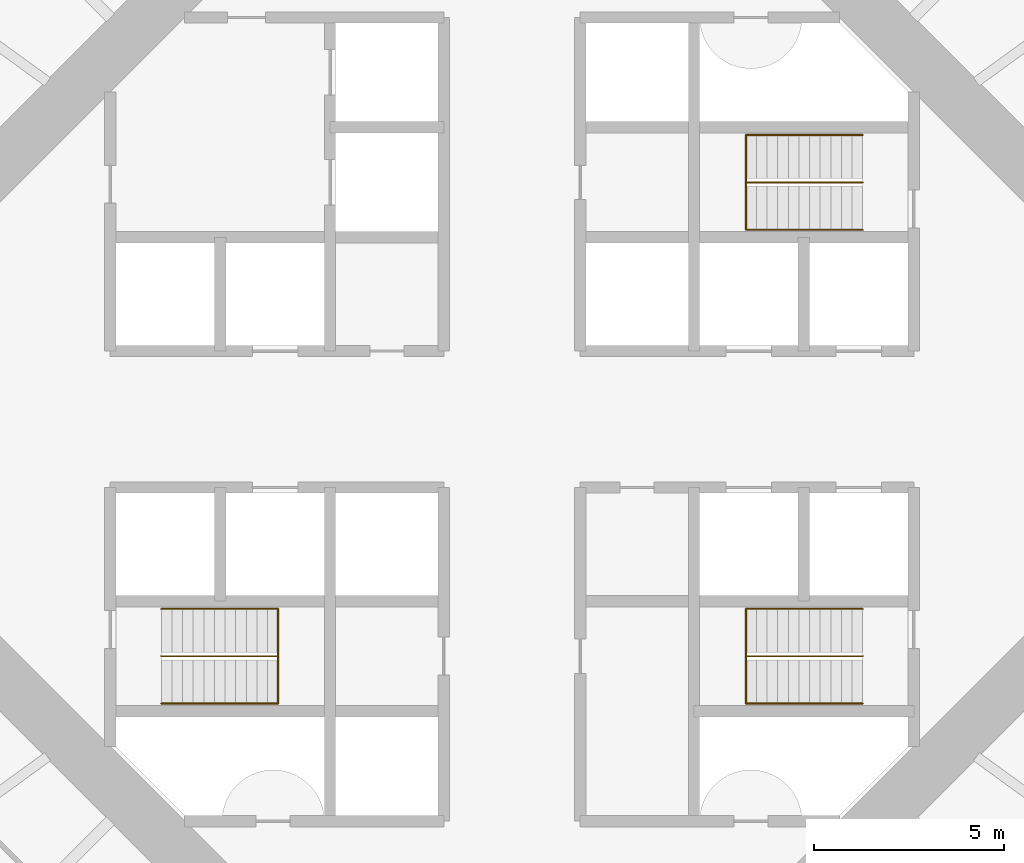
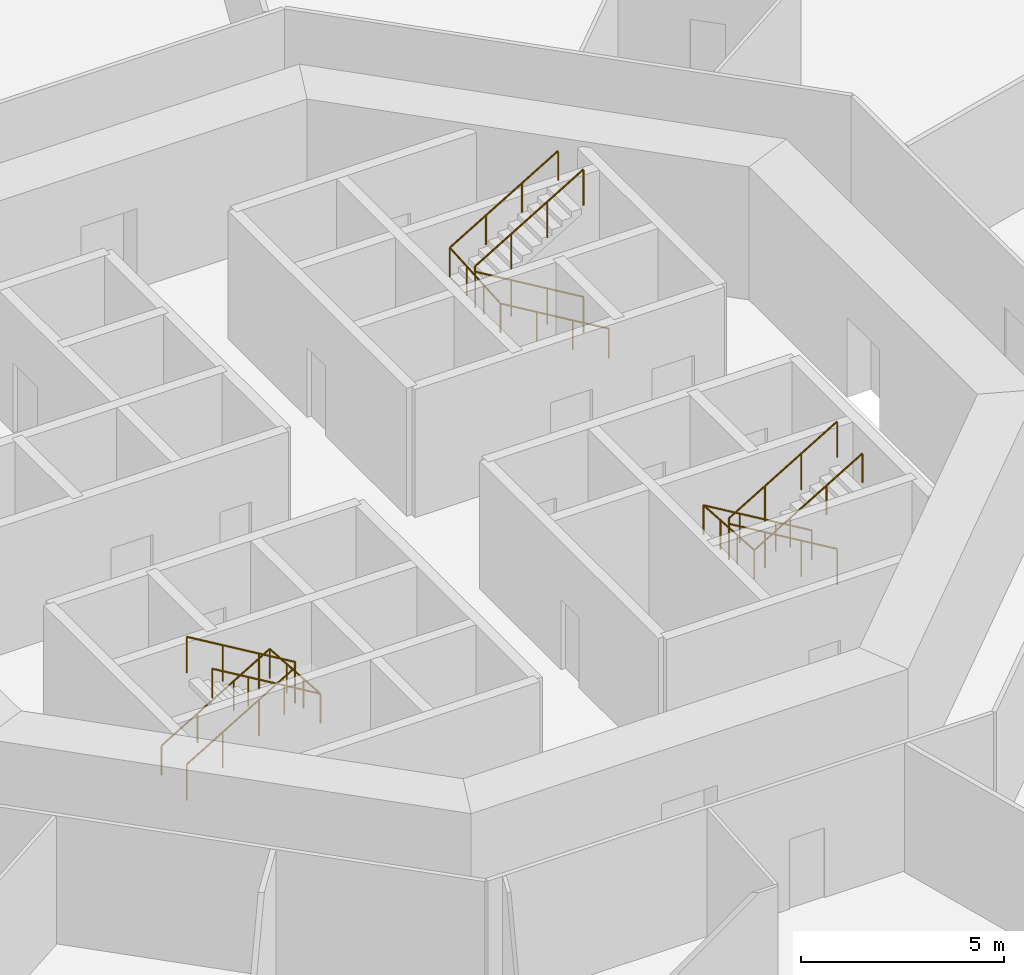
# One storey, part 13 of 13: 6 railings.
"""IFC4 building model written with IfcOpenShell, lengths in metres."""

from ifc_helpers import new_model, si_unit, direction, frame, origin, origin_2d, place, context, subcontext, project, spatial, circle, extrude, material, type_object, element, save


model = new_model("IFC4")

# Units and contexts
model_context = context("Model", 3, precision=1e-05, world=origin(), true_north=direction((0.0, 1.0)))
body_context = subcontext(model_context, "Body", "Model", "MODEL_VIEW")
ifc_project = project(units=[si_unit("LENGTHUNIT", "METRE"), si_unit("AREAUNIT", "SQUARE_METRE"), si_unit("VOLUMEUNIT", "CUBIC_METRE"), si_unit("PLANEANGLEUNIT", "RADIAN"), si_unit("MASSUNIT", "GRAM", prefix="KILO")], contexts=[model_context])

# Site, building, storey
site_placement = place(None, origin())
site = spatial("IfcSite", under=ifc_project, at=site_placement, CompositionType="ELEMENT")
building_placement = place(site_placement, origin())
building = spatial("IfcBuilding", under=site, at=building_placement, Name="Entoto Ring Tower", CompositionType="ELEMENT")
storey_placement = place(building_placement, frame((0.0, 0.0, 18.0)))
storey = spatial("IfcBuildingStorey", under=building, at=storey_placement, Name="L02", CompositionType="ELEMENT", Elevation=18.0)

# Railings
ifc_material_1 = material(Name="Steel S275", Category="steel")
railing_type_1 = type_object("IfcRailingType", Name="Stair guard 1100 mm steel", PredefinedType="GUARDRAIL", material=ifc_material_1)
railing_1_placement = place(storey_placement, frame((99.25, 86.25, 0.166748046875)))
element("IfcRailing", 1, at=railing_1_placement, inside=storey, type_object=railing_type_1, Name="Guard ST1", PredefinedType="GUARDRAIL", context=body_context, shape_type="SweptSolid", body=[
    extrude(circle(Radius=0.02392578125, at=origin_2d()), frame((0.0, 0.0, 1.076171875), z_axis=(-0.859308565015, 0.0, 0.511457515432), x_axis=(0.0, -1.0, 0.0)), (0.0, 0.0, 1.0), 3.58447265625),
    extrude(circle(Radius=0.02392578125, at=origin_2d()), frame((-3.080078125, 0.0, 2.9091796875), z_axis=(0.0, 0.0, 1.0), x_axis=(1.0, 0.0, 0.0)), (0.0, 0.0, 1.0), 0.166748046875),
    extrude(circle(Radius=0.02392578125, at=origin_2d()), frame((-3.080078125, 0.0, 3.076171875), z_axis=(0.859308565015, 0.0, 0.511457515432), x_axis=(0.0, 1.0, 0.0)), (0.0, 0.0, 1.0), 3.58447265625),
    extrude(circle(Radius=0.02099609375, at=origin_2d()), origin(), (0.0, 0.0, 1.0), 1.052001953125),
    extrude(circle(Radius=0.02099609375, at=origin_2d()), frame((-1.026611328125, 0.0, 0.611083984375)), (0.0, 0.0, 1.0), 1.052001953125),
    extrude(circle(Radius=0.02099609375, at=origin_2d()), frame((-2.053466796875, 0.0, 1.22216796875)), (0.0, 0.0, 1.0), 1.052001953125),
    extrude(circle(Radius=0.02099609375, at=origin_2d()), frame((-3.080078125, 0.0, 1.833251953125)), (0.0, 0.0, 1.0), 1.052001953125),
    extrude(circle(Radius=0.02099609375, at=origin_2d()), frame((-3.080078125, 0.0, 2.0)), (0.0, 0.0, 1.0), 1.052001953125),
    extrude(circle(Radius=0.02099609375, at=origin_2d()), frame((-2.053466796875, 0.0, 2.611083984375)), (0.0, 0.0, 1.0), 1.052001953125),
    extrude(circle(Radius=0.02099609375, at=origin_2d()), frame((-1.026611328125, 0.0, 3.22216796875)), (0.0, 0.0, 1.0), 1.052001953125),
    extrude(circle(Radius=0.02099609375, at=origin_2d()), frame((0.0, 0.0, 3.833251953125)), (0.0, 0.0, 1.0), 1.052001953125),
])
railing_2_placement = place(storey_placement, frame((80.75, 73.75, 0.166748046875)))
element("IfcRailing", 2, at=railing_2_placement, inside=storey, type_object=railing_type_1, Name="Guard ST2", PredefinedType="GUARDRAIL", context=body_context, shape_type="SweptSolid", body=[
    extrude(circle(Radius=0.02392578125, at=origin_2d()), frame((0.0, 0.0, 1.076171875), z_axis=(0.859308565015, 0.0, 0.511457515432), x_axis=(0.0, 1.0, 0.0)), (0.0, 0.0, 1.0), 3.58447265625),
    extrude(circle(Radius=0.02392578125, at=origin_2d()), frame((3.080078125, 0.0, 2.9091796875), z_axis=(0.0, 0.0, 1.0), x_axis=(1.0, 0.0, 0.0)), (0.0, 0.0, 1.0), 0.166748046875),
    extrude(circle(Radius=0.02392578125, at=origin_2d()), frame((3.080078125, 0.0, 3.076171875), z_axis=(-0.859308565015, 0.0, 0.511457515432), x_axis=(0.0, -1.0, 0.0)), (0.0, 0.0, 1.0), 3.58447265625),
    extrude(circle(Radius=0.02099609375, at=origin_2d()), origin(), (0.0, 0.0, 1.0), 1.052001953125),
    extrude(circle(Radius=0.02099609375, at=origin_2d()), frame((1.026611328125, 0.0, 0.611083984375)), (0.0, 0.0, 1.0), 1.052001953125),
    extrude(circle(Radius=0.02099609375, at=origin_2d()), frame((2.053466796875, 0.0, 1.22216796875)), (0.0, 0.0, 1.0), 1.052001953125),
    extrude(circle(Radius=0.02099609375, at=origin_2d()), frame((3.080078125, 0.0, 1.833251953125)), (0.0, 0.0, 1.0), 1.052001953125),
    extrude(circle(Radius=0.02099609375, at=origin_2d()), frame((3.080078125, 0.0, 2.0)), (0.0, 0.0, 1.0), 1.052001953125),
    extrude(circle(Radius=0.02099609375, at=origin_2d()), frame((2.053466796875, 0.0, 2.611083984375)), (0.0, 0.0, 1.0), 1.052001953125),
    extrude(circle(Radius=0.02099609375, at=origin_2d()), frame((1.026611328125, 0.0, 3.22216796875)), (0.0, 0.0, 1.0), 1.052001953125),
    extrude(circle(Radius=0.02099609375, at=origin_2d()), frame((0.0, 0.0, 3.833251953125)), (0.0, 0.0, 1.0), 1.052001953125),
])
railing_3_placement = place(storey_placement, frame((99.25, 73.75, 0.166748046875)))
element("IfcRailing", 3, at=railing_3_placement, inside=storey, type_object=railing_type_1, Name="Guard ST3", PredefinedType="GUARDRAIL", context=body_context, shape_type="SweptSolid", body=[
    extrude(circle(Radius=0.02392578125, at=origin_2d()), frame((0.0, 0.0, 1.076171875), z_axis=(-0.859308565015, 0.0, 0.511457515432), x_axis=(0.0, -1.0, 0.0)), (0.0, 0.0, 1.0), 3.58447265625),
    extrude(circle(Radius=0.02392578125, at=origin_2d()), frame((-3.080078125, 0.0, 2.9091796875), z_axis=(0.0, 0.0, 1.0), x_axis=(1.0, 0.0, 0.0)), (0.0, 0.0, 1.0), 0.166748046875),
    extrude(circle(Radius=0.02392578125, at=origin_2d()), frame((-3.080078125, 0.0, 3.076171875), z_axis=(0.859308565015, 0.0, 0.511457515432), x_axis=(0.0, 1.0, 0.0)), (0.0, 0.0, 1.0), 3.58447265625),
    extrude(circle(Radius=0.02099609375, at=origin_2d()), origin(), (0.0, 0.0, 1.0), 1.052001953125),
    extrude(circle(Radius=0.02099609375, at=origin_2d()), frame((-1.026611328125, 0.0, 0.611083984375)), (0.0, 0.0, 1.0), 1.052001953125),
    extrude(circle(Radius=0.02099609375, at=origin_2d()), frame((-2.053466796875, 0.0, 1.22216796875)), (0.0, 0.0, 1.0), 1.052001953125),
    extrude(circle(Radius=0.02099609375, at=origin_2d()), frame((-3.080078125, 0.0, 1.833251953125)), (0.0, 0.0, 1.0), 1.052001953125),
    extrude(circle(Radius=0.02099609375, at=origin_2d()), frame((-3.080078125, 0.0, 2.0)), (0.0, 0.0, 1.0), 1.052001953125),
    extrude(circle(Radius=0.02099609375, at=origin_2d()), frame((-2.053466796875, 0.0, 2.611083984375)), (0.0, 0.0, 1.0), 1.052001953125),
    extrude(circle(Radius=0.02099609375, at=origin_2d()), frame((-1.026611328125, 0.0, 3.22216796875)), (0.0, 0.0, 1.0), 1.052001953125),
    extrude(circle(Radius=0.02099609375, at=origin_2d()), frame((0.0, 0.0, 3.833251953125)), (0.0, 0.0, 1.0), 1.052001953125),
])
ifc_material_2 = material(Name="Steel S275", Category="steel")
railing_type_2 = type_object("IfcRailingType", Name="Stair handrail 900 mm steel", PredefinedType="HANDRAIL", material=ifc_material_2)
railing_4_placement = place(storey_placement, frame((99.25, 85.0, 0.166748046875)))
element("IfcRailing", 4, at=railing_4_placement, inside=storey, type_object=railing_type_2, Name="Handrail ST1", PredefinedType="HANDRAIL", context=body_context, shape_type="SweptSolid", body=[
    extrude(circle(Radius=0.02392578125, at=origin_2d()), frame((0.0, 0.0, 0.8759765625), z_axis=(-0.859308565015, 0.0, 0.511457515432), x_axis=(0.0, -1.0, 0.0)), (0.0, 0.0, 1.0), 3.58447265625),
    extrude(circle(Radius=0.02392578125, at=origin_2d()), frame((-3.080078125, 0.0, 2.708984375), z_axis=(0.0, 0.997783001586, 0.066551346688), x_axis=(-1.0, 0.0, 0.0)), (0.0, 0.0, 1.0), 2.505615234375),
    extrude(circle(Radius=0.02392578125, at=origin_2d()), frame((-3.080078125, 2.5, 2.8759765625), z_axis=(0.859308565015, 0.0, 0.511457515432), x_axis=(0.0, 1.0, 0.0)), (0.0, 0.0, 1.0), 3.58447265625),
    extrude(circle(Radius=0.02099609375, at=origin_2d()), origin(), (0.0, 0.0, 1.0), 0.851806640625),
    extrude(circle(Radius=0.02099609375, at=origin_2d()), frame((-1.026611328125, 0.0, 0.611083984375)), (0.0, 0.0, 1.0), 0.851806640625),
    extrude(circle(Radius=0.02099609375, at=origin_2d()), frame((-2.053466796875, 0.0, 1.22216796875)), (0.0, 0.0, 1.0), 0.851806640625),
    extrude(circle(Radius=0.02099609375, at=origin_2d()), frame((-3.080078125, 0.0, 1.833251953125)), (0.0, 0.0, 1.0), 0.851806640625),
    extrude(circle(Radius=0.02099609375, at=origin_2d()), frame((-3.080078125, 0.833251953125, 1.888916015625)), (0.0, 0.0, 1.0), 0.851806640625),
    extrude(circle(Radius=0.02099609375, at=origin_2d()), frame((-3.080078125, 1.666748046875, 1.9443359375)), (0.0, 0.0, 1.0), 0.851806640625),
    extrude(circle(Radius=0.02099609375, at=origin_2d()), frame((-3.080078125, 2.5, 2.0)), (0.0, 0.0, 1.0), 0.851806640625),
    extrude(circle(Radius=0.02099609375, at=origin_2d()), frame((-2.053466796875, 2.5, 2.611083984375)), (0.0, 0.0, 1.0), 0.851806640625),
    extrude(circle(Radius=0.02099609375, at=origin_2d()), frame((-1.026611328125, 2.5, 3.22216796875)), (0.0, 0.0, 1.0), 0.851806640625),
    extrude(circle(Radius=0.02099609375, at=origin_2d()), frame((0.0, 2.5, 3.833251953125)), (0.0, 0.0, 1.0), 0.851806640625),
])
railing_5_placement = place(storey_placement, frame((80.75, 75.0, 0.166748046875)))
element("IfcRailing", 5, at=railing_5_placement, inside=storey, type_object=railing_type_2, Name="Handrail ST2", PredefinedType="HANDRAIL", context=body_context, shape_type="SweptSolid", body=[
    extrude(circle(Radius=0.02392578125, at=origin_2d()), frame((0.0, 0.0, 0.8759765625), z_axis=(0.859308565015, 0.0, 0.511457515432), x_axis=(0.0, 1.0, 0.0)), (0.0, 0.0, 1.0), 3.58447265625),
    extrude(circle(Radius=0.02392578125, at=origin_2d()), frame((3.080078125, 0.0, 2.708984375), z_axis=(0.0, -0.997783001586, 0.066551346688), x_axis=(1.0, 0.0, 0.0)), (0.0, 0.0, 1.0), 2.505615234375),
    extrude(circle(Radius=0.02392578125, at=origin_2d()), frame((3.080078125, -2.5, 2.8759765625), z_axis=(-0.859308565015, 0.0, 0.511457515432), x_axis=(0.0, -1.0, 0.0)), (0.0, 0.0, 1.0), 3.58447265625),
    extrude(circle(Radius=0.02099609375, at=origin_2d()), origin(), (0.0, 0.0, 1.0), 0.851806640625),
    extrude(circle(Radius=0.02099609375, at=origin_2d()), frame((1.026611328125, 0.0, 0.611083984375)), (0.0, 0.0, 1.0), 0.851806640625),
    extrude(circle(Radius=0.02099609375, at=origin_2d()), frame((2.053466796875, 0.0, 1.22216796875)), (0.0, 0.0, 1.0), 0.851806640625),
    extrude(circle(Radius=0.02099609375, at=origin_2d()), frame((3.080078125, 0.0, 1.833251953125)), (0.0, 0.0, 1.0), 0.851806640625),
    extrude(circle(Radius=0.02099609375, at=origin_2d()), frame((3.080078125, -0.833251953125, 1.888916015625)), (0.0, 0.0, 1.0), 0.851806640625),
    extrude(circle(Radius=0.02099609375, at=origin_2d()), frame((3.080078125, -1.666748046875, 1.9443359375)), (0.0, 0.0, 1.0), 0.851806640625),
    extrude(circle(Radius=0.02099609375, at=origin_2d()), frame((3.080078125, -2.5, 2.0)), (0.0, 0.0, 1.0), 0.851806640625),
    extrude(circle(Radius=0.02099609375, at=origin_2d()), frame((2.053466796875, -2.5, 2.611083984375)), (0.0, 0.0, 1.0), 0.851806640625),
    extrude(circle(Radius=0.02099609375, at=origin_2d()), frame((1.026611328125, -2.5, 3.22216796875)), (0.0, 0.0, 1.0), 0.851806640625),
    extrude(circle(Radius=0.02099609375, at=origin_2d()), frame((0.0, -2.5, 3.833251953125)), (0.0, 0.0, 1.0), 0.851806640625),
])
railing_6_placement = place(storey_placement, frame((99.25, 75.0, 0.166748046875)))
element("IfcRailing", 6, at=railing_6_placement, inside=storey, type_object=railing_type_2, Name="Handrail ST3", PredefinedType="HANDRAIL", context=body_context, shape_type="SweptSolid", body=[
    extrude(circle(Radius=0.02392578125, at=origin_2d()), frame((0.0, 0.0, 0.8759765625), z_axis=(-0.859308565015, 0.0, 0.511457515432), x_axis=(0.0, -1.0, 0.0)), (0.0, 0.0, 1.0), 3.58447265625),
    extrude(circle(Radius=0.02392578125, at=origin_2d()), frame((-3.080078125, 0.0, 2.708984375), z_axis=(0.0, -0.997783001586, 0.066551346688), x_axis=(1.0, 0.0, 0.0)), (0.0, 0.0, 1.0), 2.505615234375),
    extrude(circle(Radius=0.02392578125, at=origin_2d()), frame((-3.080078125, -2.5, 2.8759765625), z_axis=(0.859308565015, 0.0, 0.511457515432), x_axis=(0.0, 1.0, 0.0)), (0.0, 0.0, 1.0), 3.58447265625),
    extrude(circle(Radius=0.02099609375, at=origin_2d()), origin(), (0.0, 0.0, 1.0), 0.851806640625),
    extrude(circle(Radius=0.02099609375, at=origin_2d()), frame((-1.026611328125, 0.0, 0.611083984375)), (0.0, 0.0, 1.0), 0.851806640625),
    extrude(circle(Radius=0.02099609375, at=origin_2d()), frame((-2.053466796875, 0.0, 1.22216796875)), (0.0, 0.0, 1.0), 0.851806640625),
    extrude(circle(Radius=0.02099609375, at=origin_2d()), frame((-3.080078125, 0.0, 1.833251953125)), (0.0, 0.0, 1.0), 0.851806640625),
    extrude(circle(Radius=0.02099609375, at=origin_2d()), frame((-3.080078125, -0.833251953125, 1.888916015625)), (0.0, 0.0, 1.0), 0.851806640625),
    extrude(circle(Radius=0.02099609375, at=origin_2d()), frame((-3.080078125, -1.666748046875, 1.9443359375)), (0.0, 0.0, 1.0), 0.851806640625),
    extrude(circle(Radius=0.02099609375, at=origin_2d()), frame((-3.080078125, -2.5, 2.0)), (0.0, 0.0, 1.0), 0.851806640625),
    extrude(circle(Radius=0.02099609375, at=origin_2d()), frame((-2.053466796875, -2.5, 2.611083984375)), (0.0, 0.0, 1.0), 0.851806640625),
    extrude(circle(Radius=0.02099609375, at=origin_2d()), frame((-1.026611328125, -2.5, 3.22216796875)), (0.0, 0.0, 1.0), 0.851806640625),
    extrude(circle(Radius=0.02099609375, at=origin_2d()), frame((0.0, -2.5, 3.833251953125)), (0.0, 0.0, 1.0), 0.851806640625),
])

save(model, "model.ifc")
